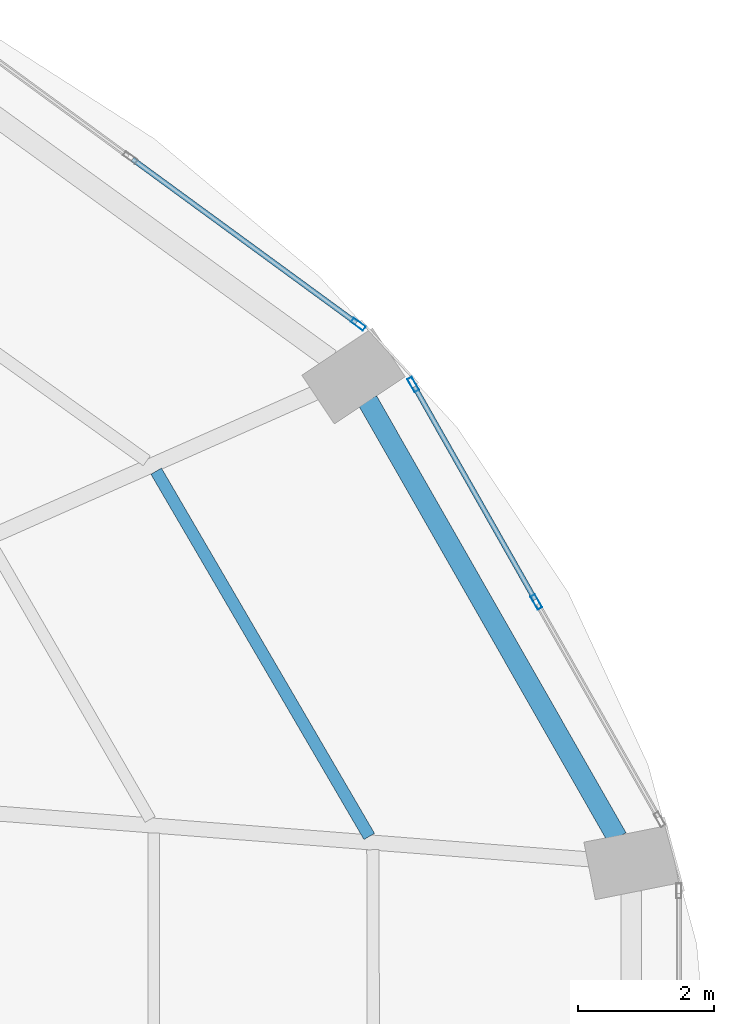
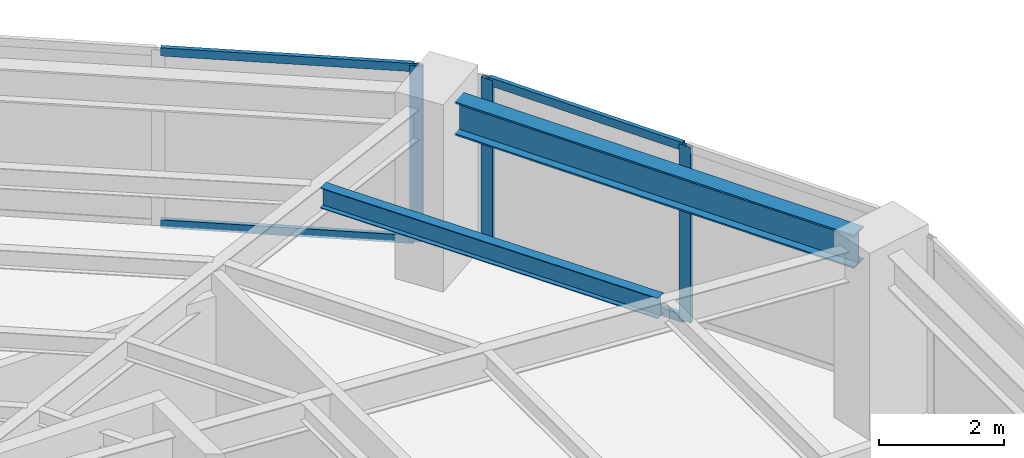
# One storey, part 18 of 24: 7 members, 2 beams, 2 elements without a shape of their own.
"""IFC4 building model written with IfcOpenShell, lengths in metres."""

from ifc_helpers import new_model, si_unit, direction, frame, origin, origin_2d, place, context, subcontext, project, spatial, hollow_rectangle, i_section, extrude, material, layer, layer_set, material_profile, profile_set, type_object, element, aggregate, save


model = new_model("IFC4")

# Units and contexts
model_context = context("Model", 3, precision=1e-05, world=origin(), true_north=direction((0.0, 1.0)))
body_context = subcontext(model_context, "Body", "Model", "MODEL_VIEW")
ifc_project = project(units=[si_unit("LENGTHUNIT", "METRE"), si_unit("AREAUNIT", "SQUARE_METRE"), si_unit("VOLUMEUNIT", "CUBIC_METRE"), si_unit("PLANEANGLEUNIT", "RADIAN"), si_unit("MASSUNIT", "GRAM", prefix="KILO")], contexts=[model_context])

# Site, building, storey
site_placement = place(None, origin())
site = spatial("IfcSite", under=ifc_project, at=site_placement, CompositionType="ELEMENT")
building_placement = place(site_placement, origin())
building = spatial("IfcBuilding", under=site, at=building_placement, Name="Lazwardi Medical Tower", CompositionType="ELEMENT")
storey_placement = place(building_placement, frame((0.0, 0.0, 36.14404296875)))
storey = spatial("IfcBuildingStorey", under=building, at=storey_placement, Name="L08", CompositionType="ELEMENT", Elevation=36.14404296875)

# Beams
ifc_material_1 = material(Name="Steel S355", Category="steel")
ifc_material_profile_1 = material_profile(ifc_material_1, i_section(OverallWidth=0.300048828125, OverallDepth=0.64990234375, WebThickness=0.01611328125, FlangeThickness=0.031005859375, at=origin_2d()), Name="HEB 650")
ifc_profile_set_1 = profile_set([ifc_material_profile_1], Name="Steel S355")
beam_type_1 = type_object("IfcBeamType", Name="BM-RB-Z1", PredefinedType="BEAM", material=ifc_profile_set_1)
beam_1_placement = place(storey_placement, frame((62.591796875, 34.63232421875, 3.10302734375), z_axis=(-0.49581512241, 0.868428099724, 0.0), x_axis=(-0.868428099724, -0.49581512241, 0.0)))
element("IfcBeam", 1, at=beam_1_placement, inside=storey, type_object=beam_type_1, Name="Ring beam RB-02 B05 L08", PredefinedType="BEAM", context=body_context, shape_type="SweptSolid", body=[
    extrude(i_section(OverallWidth=0.300048828125, OverallDepth=0.64990234375, WebThickness=0.01611328125, FlangeThickness=0.031005859375, at=origin_2d()), origin(), (0.0, 0.0, 1.0), 7.389404296875),
])
ifc_material_profile_2 = material_profile(ifc_material_1, i_section(OverallWidth=0.179931640625, OverallDepth=0.39990234375, WebThickness=0.008544921875, FlangeThickness=0.013427734375, at=origin_2d()), Name="IPE 400")
ifc_profile_set_2 = profile_set([ifc_material_profile_2], Name="Steel S355")
beam_type_2 = type_object("IfcBeamType", Name="BM-SJ-01", PredefinedType="JOIST", material=ifc_profile_set_2)
beam_2_placement = place(storey_placement, frame((58.951171875, 34.65234375, 3.22802734375), z_axis=(-0.503846579557, 0.863793160582, 0.0), x_axis=(-0.863793160582, -0.503846579557, 0.0)))
element("IfcBeam", 2, at=beam_2_placement, inside=storey, type_object=beam_type_2, Name="Secondary joist SJ-01 R1 B05 L08", PredefinedType="JOIST", context=body_context, shape_type="SweptSolid", body=[
    extrude(i_section(OverallWidth=0.179931640625, OverallDepth=0.39990234375, WebThickness=0.008544921875, FlangeThickness=0.013427734375, at=origin_2d()), origin(), (0.0, 0.0, 1.0), 6.20947265625),
])

# Curtain wall, members
ifc_material_2 = material(Name="Anodised bronze aluminium and solar control glazing", Category="aluminium")
ifc_layer = layer(ifc_material_2, 0.199951171875)
ifc_layer_set = layer_set([ifc_layer], Name="Anodised bronze aluminium and solar control glazing")
curtain_wall_type = type_object("IfcCurtainWallType", Name="CW-SYS-02", PredefinedType="NOTDEFINED", material=ifc_layer_set)
curtain_wall_1_placement = place(storey_placement, origin())
curtain_wall_1 = element("IfcCurtainWall", 3, at=curtain_wall_1_placement, inside=storey, type_object=curtain_wall_type, Name="L08 Unitised bronze curtain wall CW-02", PredefinedType="NOTDEFINED")
ifc_material_3 = material(Name="Anodised bronze aluminium", Category="aluminium")
ifc_material_profile_3 = material_profile(ifc_material_3, hollow_rectangle(XDim=0.074951171875, YDim=0.219970703125, WallThickness=0.00390625, at=origin_2d()), Name="ALU-MULLION 220x75x4")
ifc_profile_set_3 = profile_set([ifc_material_profile_3], Name="Anodised bronze aluminium")
member_type_1 = type_object("IfcMemberType", Name="CW-MUL-01", PredefinedType="MULLION", material=ifc_profile_set_3)
member_1_placement = place(storey_placement, frame((61.4052734375, 38.095458984375, 0.0), z_axis=(0.0, 0.0, 1.0), x_axis=(-0.870111838823, -0.492854327303, 0.0)))
member_1 = element("IfcMember", 4, at=member_1_placement, type_object=member_type_1, Name="CW-02 mullion 2", PredefinedType="MULLION", context=body_context, shape_type="SweptSolid", body=[
    extrude(hollow_rectangle(XDim=0.074951171875, YDim=0.219970703125, WallThickness=0.00390625, at=origin_2d()), origin(), (0.0, 0.0, 1.0), 3.427978515625),
])
member_2_placement = place(storey_placement, frame((59.5966796875, 41.28857421875, 0.0), z_axis=(0.0, 0.0, 1.0), x_axis=(-0.870111838823, -0.492854327303, 0.0)))
member_2 = element("IfcMember", 5, at=member_2_placement, type_object=member_type_1, Name="CW-02 mullion 3", PredefinedType="MULLION", context=body_context, shape_type="SweptSolid", body=[
    extrude(hollow_rectangle(XDim=0.074951171875, YDim=0.219970703125, WallThickness=0.00390625, at=origin_2d()), origin(), (0.0, 0.0, 1.0), 3.427978515625),
])

# Curtain wall, member
curtain_wall_2_placement = place(storey_placement, origin())
curtain_wall_2 = element("IfcCurtainWall", 6, at=curtain_wall_2_placement, inside=storey, type_object=curtain_wall_type, Name="L08 Unitised bronze curtain wall CW-02", PredefinedType="NOTDEFINED")
member_3_placement = place(storey_placement, frame((58.790283203125, 42.172607421875, 0.0), z_axis=(0.0, 0.0, 1.0), x_axis=(-0.590289307341, -0.807191757663, 0.0)))
member_3 = element("IfcMember", 7, at=member_3_placement, type_object=member_type_1, Name="CW-02 mullion 1", PredefinedType="MULLION", context=body_context, shape_type="SweptSolid", body=[
    extrude(hollow_rectangle(XDim=0.074951171875, YDim=0.219970703125, WallThickness=0.00390625, at=origin_2d()), origin(), (0.0, 0.0, 1.0), 3.427978515625),
])

# Member
ifc_material_profile_4 = material_profile(ifc_material_3, hollow_rectangle(XDim=0.074951171875, YDim=0.159912109375, WallThickness=0.00390625, at=origin_2d()), Name="ALU-TRANSOM 160x75x4")
ifc_profile_set_4 = profile_set([ifc_material_profile_4], Name="Anodised bronze aluminium")
member_type_2 = type_object("IfcMemberType", Name="CW-TRN-01", PredefinedType="USERDEFINED", material=ifc_profile_set_4)
member_4_placement = place(storey_placement, frame((61.386962890625, 38.128173828125, 0.037353515625), z_axis=(-0.492880614687, 0.870096948429, 0.0), x_axis=(-0.870096948429, -0.492880614687, 0.0)))
member_4 = element("IfcMember", 8, at=member_4_placement, type_object=member_type_2, Name="CW-02 transom 2.1", ObjectType="TRANSOM", PredefinedType="USERDEFINED", context=body_context, shape_type="SweptSolid", body=[
    extrude(hollow_rectangle(XDim=0.074951171875, YDim=0.159912109375, WallThickness=0.00390625, at=origin_2d()), origin(), (0.0, 0.0, 1.0), 3.5947265625),
])

member_5_placement = place(storey_placement, frame((61.386962890625, 38.128173828125, 3.390380859375), z_axis=(-0.492880614687, 0.870096948429, 0.0), x_axis=(-0.870096948429, -0.492880614687, 0.0)))
member_5 = element("IfcMember", 9, at=member_5_placement, type_object=member_type_2, Name="CW-02 transom 2.2", ObjectType="TRANSOM", PredefinedType="USERDEFINED", context=body_context, shape_type="SweptSolid", body=[
    extrude(hollow_rectangle(XDim=0.074951171875, YDim=0.159912109375, WallThickness=0.00390625, at=origin_2d()), origin(), (0.0, 0.0, 1.0), 3.5947265625),
])

aggregate(curtain_wall_1, [member_1, member_2, member_4, member_5])

member_6_placement = place(storey_placement, frame((58.760009765625, 42.194580078125, 0.037353515625), z_axis=(-0.807189956199, 0.590291770748, 0.0), x_axis=(-0.590291770748, -0.807189956199, 0.0)))
member_6 = element("IfcMember", 10, at=member_6_placement, type_object=member_type_2, Name="CW-02 transom 1.1", ObjectType="TRANSOM", PredefinedType="USERDEFINED", context=body_context, shape_type="SweptSolid", body=[
    extrude(hollow_rectangle(XDim=0.074951171875, YDim=0.159912109375, WallThickness=0.00390625, at=origin_2d()), origin(), (0.0, 0.0, 1.0), 4.070068359375),
])

member_7_placement = place(storey_placement, frame((58.760009765625, 42.194580078125, 3.390380859375), z_axis=(-0.807189956199, 0.590291770748, 0.0), x_axis=(-0.590291770748, -0.807189956199, 0.0)))
member_7 = element("IfcMember", 11, at=member_7_placement, type_object=member_type_2, Name="CW-02 transom 1.2", ObjectType="TRANSOM", PredefinedType="USERDEFINED", context=body_context, shape_type="SweptSolid", body=[
    extrude(hollow_rectangle(XDim=0.074951171875, YDim=0.159912109375, WallThickness=0.00390625, at=origin_2d()), origin(), (0.0, 0.0, 1.0), 4.070068359375),
])

aggregate(curtain_wall_2, [member_3, member_6, member_7])

save(model, "model.ifc")
